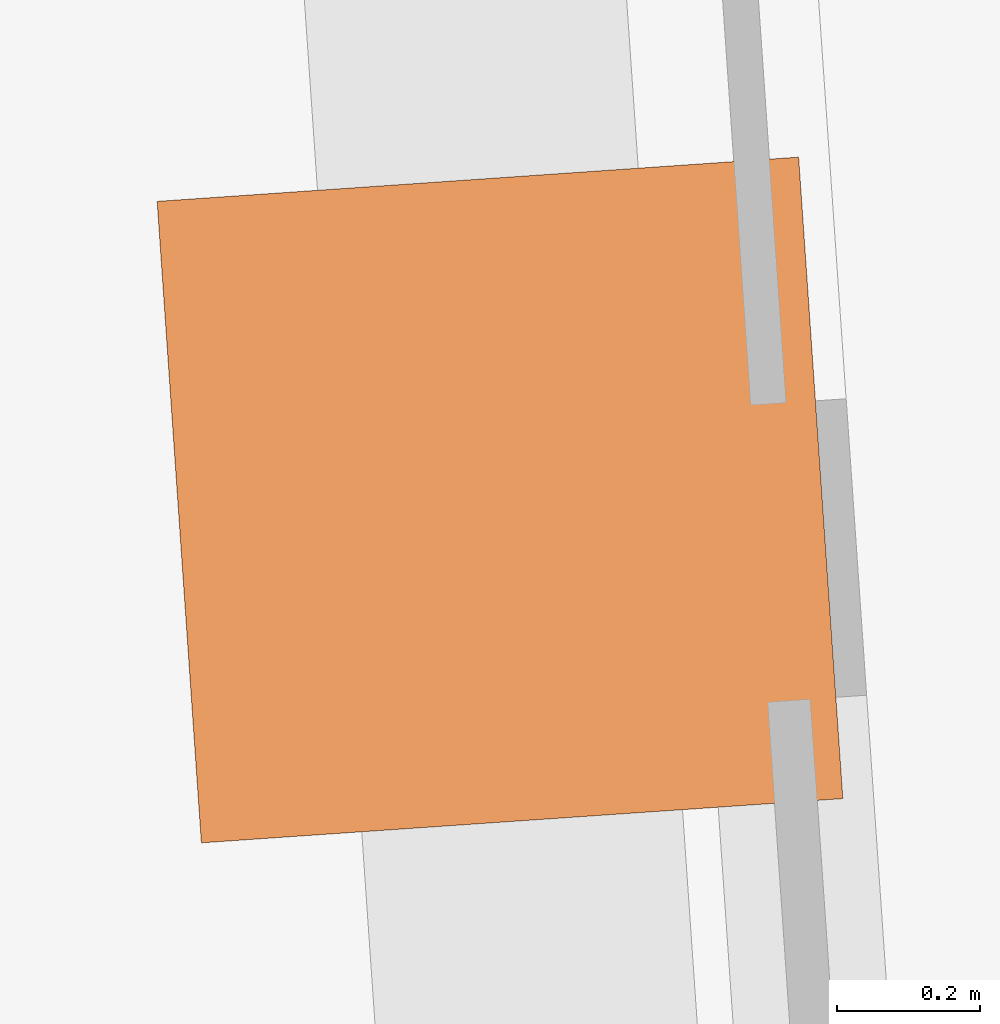
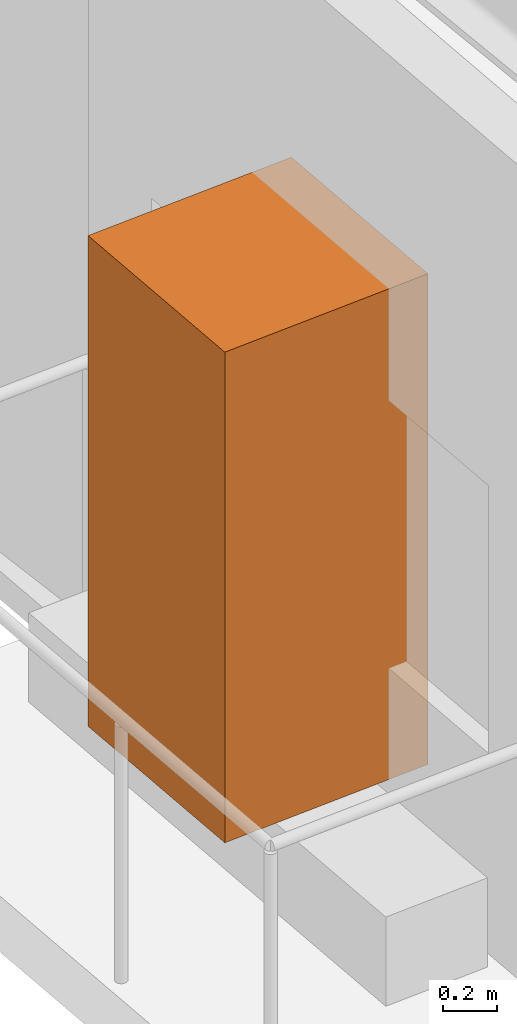
# One storey, part 10 of 10: 1 geographic element.
"""IFC4 building model written with IfcOpenShell, lengths in metres."""

import ifcopenshell
import ifcopenshell.guid

model = None  # the IFC model being written
_history = None  # IfcOwnerHistory: only IFC2X3 demands one
_inside = {}  # id of a spatial element -> (the spatial element, [elements in it])
_under = {}  # id of a project, library or spatial element -> (it, [spatial elements below it])
_declared = {}  # id of a project -> (the project, [libraries it declares])
_typed = {}  # id of a type object -> (the type object, [elements of that type])
_made_of = {}  # id of a material, layer set ... -> (it, [elements and type objects made of it])


def new_model(schema):
    """Start an empty IFC model of exactly this schema.

    Asked for "IFC4X3", IfcOpenShell would pick the latest addendum, in which some entities
    have other attributes; the version numbers below select the first issue.
    IFC2X3 requires an IfcOwnerHistory on every rooted entity: one is made here for all.
    """
    global model, _history
    if schema == "IFC4X3":
        model = ifcopenshell.file(schema_version=(4, 3, 0, 0))
    else:
        model = ifcopenshell.file(schema=schema)
    _inside.clear()
    _under.clear()
    _declared.clear()
    _typed.clear()
    _made_of.clear()
    _history = None
    if model.schema == "IFC2X3":
        org = make("IfcOrganization", Name="unknown")
        user = make(
            "IfcPersonAndOrganization",
            ThePerson=make("IfcPerson", FamilyName="unknown"),
            TheOrganization=org,
        )
        app = make(
            "IfcApplication",
            ApplicationDeveloper=org,
            Version="unknown",
            ApplicationFullName="unknown",
            ApplicationIdentifier="unknown",
        )
        _history = make(
            "IfcOwnerHistory",
            OwningUser=user,
            OwningApplication=app,
            ChangeAction="ADDED",
            CreationDate=0,
        )
    return model


def make(cls, **values):
    """One entity of the class cls with the attributes given. An attribute that is None is left unset."""
    return model.create_entity(
        cls, **{name: value for name, value in values.items() if value is not None}
    )


def rooted(cls, **values):
    """An entity with a GlobalId (a new one), such as an element, a storey or a relation."""
    return make(cls, GlobalId=ifcopenshell.guid.new(), OwnerHistory=_history, **values)


def si_unit(unit_type, name, prefix=None):
    """IfcSIUnit, for example si_unit("LENGTHUNIT", "METRE", prefix="MILLI")."""
    return make("IfcSIUnit", UnitType=unit_type, Prefix=prefix, Name=name)


def assignment(units):
    """IfcUnitAssignment: the units of a project."""
    return None if units is None else make("IfcUnitAssignment", Units=units)


def point(xyz):
    """IfcCartesianPoint."""
    return None if xyz is None else make("IfcCartesianPoint", Coordinates=xyz)


def direction(xyz):
    """IfcDirection."""
    return None if xyz is None else make("IfcDirection", DirectionRatios=xyz)


def frame(location, z_axis=None, x_axis=None):
    """IfcAxis2Placement3D, a coordinate frame: its origin and axes. An axis left out is left unset."""
    return make(
        "IfcAxis2Placement3D",
        Location=point(location),
        Axis=direction(z_axis),
        RefDirection=direction(x_axis),
    )


def frame_2d(location, x_axis=None):
    """IfcAxis2Placement2D, a coordinate frame in the plane: its origin and x axis."""
    return make(
        "IfcAxis2Placement2D", Location=point(location), RefDirection=direction(x_axis)
    )


def origin():
    """The frame at (0, 0, 0) with its axes left unset."""
    return frame((0.0, 0.0, 0.0))


def origin_2d():
    """The frame at (0, 0) in the plane with its x axis left unset."""
    return frame_2d((0.0, 0.0))


def place(relative_to, where):
    """IfcLocalPlacement: puts the frame where relative to a parent placement (None: the world)."""
    return make(
        "IfcLocalPlacement", PlacementRelTo=relative_to, RelativePlacement=where
    )


def context(
    kind, dimensions, precision=None, world=None, true_north=None, identifier=None
):
    """IfcGeometricRepresentationContext, for example the 3D "Model" context."""
    return make(
        "IfcGeometricRepresentationContext",
        ContextIdentifier=identifier,
        ContextType=kind,
        CoordinateSpaceDimension=dimensions,
        Precision=precision,
        WorldCoordinateSystem=world,
        TrueNorth=true_north,
    )


def subcontext(parent, identifier, kind, view, scale=None):
    """IfcGeometricRepresentationSubContext, for example "Body" below "Model"."""
    return make(
        "IfcGeometricRepresentationSubContext",
        ContextIdentifier=identifier,
        ContextType=kind,
        ParentContext=parent,
        TargetScale=scale,
        TargetView=view,
    )


def project(units=None, contexts=None):
    """IfcProject with its units and contexts."""
    return rooted(
        "IfcProject",
        Name="project",
        RepresentationContexts=contexts,
        UnitsInContext=assignment(units),
    )


def spatial(cls, under=None, at=None, **own):
    """A site, building, storey or space (cls), placed at a placement, below another one or the project."""
    s = rooted(cls, ObjectPlacement=at, **own)
    if under is not None:
        _under.setdefault(under.id(), (under, []))[1].append(s)
    return s


def profile(cls, at=None, kind="AREA", **sizes):
    """A parametric profile (cls). Its sizes go by their IFC names, for example OverallWidth=200.0."""
    return make(cls, ProfileType=kind, Position=at, **sizes)


def rectangle(**sizes):
    """IfcRectangleProfileDef."""
    return profile("IfcRectangleProfileDef", **sizes)


def extrude(swept, where, along, depth):
    """IfcExtrudedAreaSolid: the profile swept, set in the frame where, extruded along a direction by depth."""
    return make(
        "IfcExtrudedAreaSolid",
        SweptArea=swept,
        Position=where,
        ExtrudedDirection=direction(along),
        Depth=depth,
    )


def shape(context_of_items, identifier, shape_type, items):
    """IfcShapeRepresentation: the items that make up one representation, for example the "Body"."""
    return make(
        "IfcShapeRepresentation",
        ContextOfItems=context_of_items,
        RepresentationIdentifier=identifier,
        RepresentationType=shape_type,
        Items=items,
    )


def material(Name=None, Category=None):
    """IfcMaterial."""
    return make("IfcMaterial", Name=Name, Category=Category)


def made_of(thing, what):
    """Note that an element or type object is made of a material, layer set ...; save() writes the relation."""
    if what is not None:
        _made_of.setdefault(what.id(), (what, []))[1].append(thing)
    return thing


def type_object(cls, material=None, **own):
    """A type object (cls), such as IfcWallType, which elements share."""
    return made_of(rooted(cls, **own), material)


def element(
    cls,
    number,
    at=None,
    inside=None,
    cuts=None,
    type_object=None,
    material=None,
    context=None,
    identifier="Body",
    shape_type=None,
    held_by="IfcProductDefinitionShape",
    body=None,
    shapes=None,
    **own,
):
    """One element of the class cls, such as IfcWall. Its Tag is "e" and its number.

    at: its placement. inside: the storey or other place that contains it. cuts: it is an
    opening in that element (IfcRelVoidsElement). A single representation is given by context,
    identifier, shape_type and body (its items); several are given by shapes. held_by: the class
    of the entity that holds the representations. save() writes the other relations.
    """
    e = rooted(cls, Tag="e%d" % number, ObjectPlacement=at, **own)
    if body is not None:
        shapes = [shape(context, identifier, shape_type, body)]
    if shapes is not None:
        e.Representation = make(held_by, Representations=shapes)
    if inside is not None:
        _inside.setdefault(inside.id(), (inside, []))[1].append(e)
    if cuts is not None:
        rooted(
            "IfcRelVoidsElement", RelatingBuildingElement=cuts, RelatedOpeningElement=e
        )
    if type_object is not None:
        _typed.setdefault(type_object.id(), (type_object, []))[1].append(e)
    return made_of(e, material)


def aggregate(whole, parts):
    """IfcRelAggregates: a whole, such as a stair, and the parts it consists of."""
    return rooted("IfcRelAggregates", RelatingObject=whole, RelatedObjects=parts)


def save(model, path):
    """Write the relations noted so far, then the file.

    IfcRelAggregates (storeys below a building ...), IfcRelContainedInSpatialStructure (elements
    in a storey), IfcRelDefinesByType, IfcRelAssociatesMaterial and IfcRelDeclares: one each for
    every whole, place, type object, material and project.
    """
    for whole, parts in _under.values():
        aggregate(whole, parts)
    for where, things in _inside.values():
        rooted(
            "IfcRelContainedInSpatialStructure",
            RelatedElements=things,
            RelatingStructure=where,
        )
    for kind, things in _typed.values():
        rooted("IfcRelDefinesByType", RelatedObjects=things, RelatingType=kind)
    for what, things in _made_of.values():
        rooted("IfcRelAssociatesMaterial", RelatedObjects=things, RelatingMaterial=what)
    for by, libraries in _declared.values():
        rooted("IfcRelDeclares", RelatingContext=by, RelatedDefinitions=libraries)
    model.write(path)


model = new_model("IFC4")

# Units and contexts
model_context = context("Model", 3, precision=1e-05, world=origin(), true_north=direction((0.0, 1.0)))
body_context = subcontext(model_context, "Body", "Model", "MODEL_VIEW")
ifc_project = project(units=[si_unit("LENGTHUNIT", "METRE"), si_unit("AREAUNIT", "SQUARE_METRE"), si_unit("VOLUMEUNIT", "CUBIC_METRE"), si_unit("PLANEANGLEUNIT", "RADIAN"), si_unit("MASSUNIT", "GRAM", prefix="KILO")], contexts=[model_context])

# Site, building, storey
site_placement = place(None, origin())
site = spatial("IfcSite", under=ifc_project, at=site_placement, CompositionType="ELEMENT")
building_placement = place(site_placement, origin())
building = spatial("IfcBuilding", under=site, at=building_placement, Name="Verdant Reach Tower", CompositionType="ELEMENT")
storey_placement = place(building_placement, frame((0.0, 0.0, 190.0)))
storey = spatial("IfcBuildingStorey", under=building, at=storey_placement, Name="L43", CompositionType="ELEMENT", Elevation=190.0)

# Geographic element
ifc_material = material(Name="Planting")
geographic_element_type = type_object("IfcGeographicElementType", Name="EN-TREE", PredefinedType="USERDEFINED", material=ifc_material)
geographic_element_placement = place(storey_placement, frame((-24.17041015625, 58.305419921875, 0.39990234375), z_axis=(0.0, 0.0, 1.0), x_axis=(0.068802091615, -0.997630328423, 0.0)))
element("IfcGeographicElement", 1, at=geographic_element_placement, inside=storey, type_object=geographic_element_type, Name="Balcony tree, Surinam cherry (Eugenia uniflora), L43 1", ObjectType="TREE", PredefinedType="USERDEFINED", context=body_context, shape_type="SweptSolid", body=[
    extrude(rectangle(XDim=0.89990234375, YDim=0.89990234375, at=origin_2d()), origin(), (0.0, 0.0, 1.0), 2.199951171875),
])

save(model, "model.ifc")
